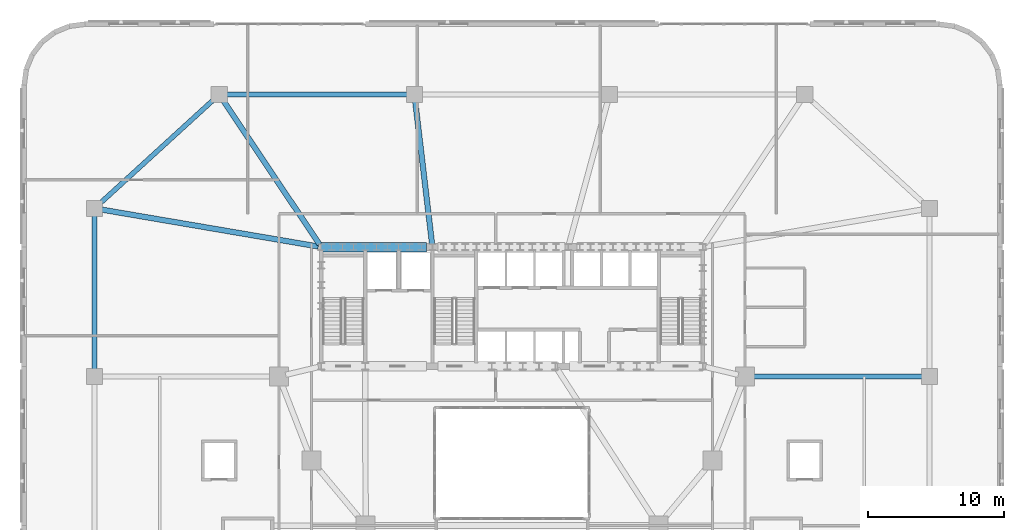
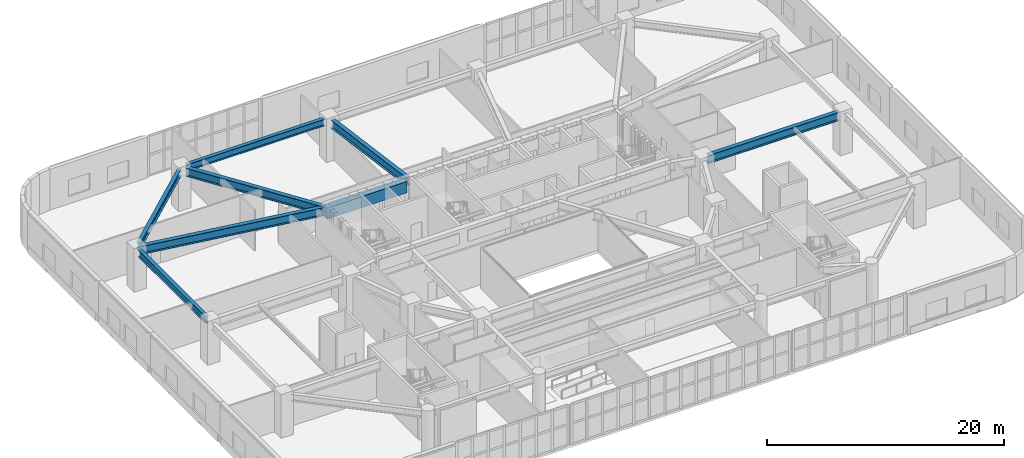
# One storey, part 8 of 25: 8 beams.
"""IFC4 building model written with IfcOpenShell, lengths in metres."""

import ifcopenshell
import ifcopenshell.guid

model = None  # the IFC model being written
_history = None  # IfcOwnerHistory: only IFC2X3 demands one
_inside = {}  # id of a spatial element -> (the spatial element, [elements in it])
_under = {}  # id of a project, library or spatial element -> (it, [spatial elements below it])
_declared = {}  # id of a project -> (the project, [libraries it declares])
_typed = {}  # id of a type object -> (the type object, [elements of that type])
_made_of = {}  # id of a material, layer set ... -> (it, [elements and type objects made of it])


def new_model(schema):
    """Start an empty IFC model of exactly this schema.

    Asked for "IFC4X3", IfcOpenShell would pick the latest addendum, in which some entities
    have other attributes; the version numbers below select the first issue.
    IFC2X3 requires an IfcOwnerHistory on every rooted entity: one is made here for all.
    """
    global model, _history
    if schema == "IFC4X3":
        model = ifcopenshell.file(schema_version=(4, 3, 0, 0))
    else:
        model = ifcopenshell.file(schema=schema)
    _inside.clear()
    _under.clear()
    _declared.clear()
    _typed.clear()
    _made_of.clear()
    _history = None
    if model.schema == "IFC2X3":
        org = make("IfcOrganization", Name="unknown")
        user = make(
            "IfcPersonAndOrganization",
            ThePerson=make("IfcPerson", FamilyName="unknown"),
            TheOrganization=org,
        )
        app = make(
            "IfcApplication",
            ApplicationDeveloper=org,
            Version="unknown",
            ApplicationFullName="unknown",
            ApplicationIdentifier="unknown",
        )
        _history = make(
            "IfcOwnerHistory",
            OwningUser=user,
            OwningApplication=app,
            ChangeAction="ADDED",
            CreationDate=0,
        )
    return model


def make(cls, **values):
    """One entity of the class cls with the attributes given. An attribute that is None is left unset."""
    return model.create_entity(
        cls, **{name: value for name, value in values.items() if value is not None}
    )


def rooted(cls, **values):
    """An entity with a GlobalId (a new one), such as an element, a storey or a relation."""
    return make(cls, GlobalId=ifcopenshell.guid.new(), OwnerHistory=_history, **values)


def si_unit(unit_type, name, prefix=None):
    """IfcSIUnit, for example si_unit("LENGTHUNIT", "METRE", prefix="MILLI")."""
    return make("IfcSIUnit", UnitType=unit_type, Prefix=prefix, Name=name)


def assignment(units):
    """IfcUnitAssignment: the units of a project."""
    return None if units is None else make("IfcUnitAssignment", Units=units)


def point(xyz):
    """IfcCartesianPoint."""
    return None if xyz is None else make("IfcCartesianPoint", Coordinates=xyz)


def direction(xyz):
    """IfcDirection."""
    return None if xyz is None else make("IfcDirection", DirectionRatios=xyz)


def frame(location, z_axis=None, x_axis=None):
    """IfcAxis2Placement3D, a coordinate frame: its origin and axes. An axis left out is left unset."""
    return make(
        "IfcAxis2Placement3D",
        Location=point(location),
        Axis=direction(z_axis),
        RefDirection=direction(x_axis),
    )


def frame_2d(location, x_axis=None):
    """IfcAxis2Placement2D, a coordinate frame in the plane: its origin and x axis."""
    return make(
        "IfcAxis2Placement2D", Location=point(location), RefDirection=direction(x_axis)
    )


def origin():
    """The frame at (0, 0, 0) with its axes left unset."""
    return frame((0.0, 0.0, 0.0))


def origin_2d():
    """The frame at (0, 0) in the plane with its x axis left unset."""
    return frame_2d((0.0, 0.0))


def place(relative_to, where):
    """IfcLocalPlacement: puts the frame where relative to a parent placement (None: the world)."""
    return make(
        "IfcLocalPlacement", PlacementRelTo=relative_to, RelativePlacement=where
    )


def context(
    kind, dimensions, precision=None, world=None, true_north=None, identifier=None
):
    """IfcGeometricRepresentationContext, for example the 3D "Model" context."""
    return make(
        "IfcGeometricRepresentationContext",
        ContextIdentifier=identifier,
        ContextType=kind,
        CoordinateSpaceDimension=dimensions,
        Precision=precision,
        WorldCoordinateSystem=world,
        TrueNorth=true_north,
    )


def subcontext(parent, identifier, kind, view, scale=None):
    """IfcGeometricRepresentationSubContext, for example "Body" below "Model"."""
    return make(
        "IfcGeometricRepresentationSubContext",
        ContextIdentifier=identifier,
        ContextType=kind,
        ParentContext=parent,
        TargetScale=scale,
        TargetView=view,
    )


def project(units=None, contexts=None):
    """IfcProject with its units and contexts."""
    return rooted(
        "IfcProject",
        Name="project",
        RepresentationContexts=contexts,
        UnitsInContext=assignment(units),
    )


def spatial(cls, under=None, at=None, **own):
    """A site, building, storey or space (cls), placed at a placement, below another one or the project."""
    s = rooted(cls, ObjectPlacement=at, **own)
    if under is not None:
        _under.setdefault(under.id(), (under, []))[1].append(s)
    return s


def profile(cls, at=None, kind="AREA", **sizes):
    """A parametric profile (cls). Its sizes go by their IFC names, for example OverallWidth=200.0."""
    return make(cls, ProfileType=kind, Position=at, **sizes)


def rectangle(**sizes):
    """IfcRectangleProfileDef."""
    return profile("IfcRectangleProfileDef", **sizes)


def i_section(**sizes):
    """IfcIShapeProfileDef."""
    return profile("IfcIShapeProfileDef", **sizes)


def extrude(swept, where, along, depth):
    """IfcExtrudedAreaSolid: the profile swept, set in the frame where, extruded along a direction by depth."""
    return make(
        "IfcExtrudedAreaSolid",
        SweptArea=swept,
        Position=where,
        ExtrudedDirection=direction(along),
        Depth=depth,
    )


def shape(context_of_items, identifier, shape_type, items):
    """IfcShapeRepresentation: the items that make up one representation, for example the "Body"."""
    return make(
        "IfcShapeRepresentation",
        ContextOfItems=context_of_items,
        RepresentationIdentifier=identifier,
        RepresentationType=shape_type,
        Items=items,
    )


def material(Name=None, Category=None):
    """IfcMaterial."""
    return make("IfcMaterial", Name=Name, Category=Category)


def material_profile(
    of_material, cross_section, Name=None, Category=None, Priority=None
):
    """IfcMaterialProfile: a cross section and its material."""
    return make(
        "IfcMaterialProfile",
        Name=Name,
        Material=of_material,
        Profile=cross_section,
        Priority=Priority,
        Category=Category,
    )


def profile_set(profiles, Name=None, composite=None):
    """IfcMaterialProfileSet."""
    return make(
        "IfcMaterialProfileSet",
        Name=Name,
        MaterialProfiles=profiles,
        CompositeProfile=composite,
    )


def made_of(thing, what):
    """Note that an element or type object is made of a material, layer set ...; save() writes the relation."""
    if what is not None:
        _made_of.setdefault(what.id(), (what, []))[1].append(thing)
    return thing


def type_object(cls, material=None, **own):
    """A type object (cls), such as IfcWallType, which elements share."""
    return made_of(rooted(cls, **own), material)


def element(
    cls,
    number,
    at=None,
    inside=None,
    cuts=None,
    type_object=None,
    material=None,
    context=None,
    identifier="Body",
    shape_type=None,
    held_by="IfcProductDefinitionShape",
    body=None,
    shapes=None,
    **own,
):
    """One element of the class cls, such as IfcWall. Its Tag is "e" and its number.

    at: its placement. inside: the storey or other place that contains it. cuts: it is an
    opening in that element (IfcRelVoidsElement). A single representation is given by context,
    identifier, shape_type and body (its items); several are given by shapes. held_by: the class
    of the entity that holds the representations. save() writes the other relations.
    """
    e = rooted(cls, Tag="e%d" % number, ObjectPlacement=at, **own)
    if body is not None:
        shapes = [shape(context, identifier, shape_type, body)]
    if shapes is not None:
        e.Representation = make(held_by, Representations=shapes)
    if inside is not None:
        _inside.setdefault(inside.id(), (inside, []))[1].append(e)
    if cuts is not None:
        rooted(
            "IfcRelVoidsElement", RelatingBuildingElement=cuts, RelatedOpeningElement=e
        )
    if type_object is not None:
        _typed.setdefault(type_object.id(), (type_object, []))[1].append(e)
    return made_of(e, material)


def aggregate(whole, parts):
    """IfcRelAggregates: a whole, such as a stair, and the parts it consists of."""
    return rooted("IfcRelAggregates", RelatingObject=whole, RelatedObjects=parts)


def save(model, path):
    """Write the relations noted so far, then the file.

    IfcRelAggregates (storeys below a building ...), IfcRelContainedInSpatialStructure (elements
    in a storey), IfcRelDefinesByType, IfcRelAssociatesMaterial and IfcRelDeclares: one each for
    every whole, place, type object, material and project.
    """
    for whole, parts in _under.values():
        aggregate(whole, parts)
    for where, things in _inside.values():
        rooted(
            "IfcRelContainedInSpatialStructure",
            RelatedElements=things,
            RelatingStructure=where,
        )
    for kind, things in _typed.values():
        rooted("IfcRelDefinesByType", RelatedObjects=things, RelatingType=kind)
    for what, things in _made_of.values():
        rooted("IfcRelAssociatesMaterial", RelatedObjects=things, RelatingMaterial=what)
    for by, libraries in _declared.values():
        rooted("IfcRelDeclares", RelatingContext=by, RelatedDefinitions=libraries)
    model.write(path)


model = new_model("IFC4")

# Units and contexts
model_context = context("Model", 3, precision=1e-05, world=origin(), true_north=direction((0.0, 1.0)))
body_context = subcontext(model_context, "Body", "Model", "MODEL_VIEW")
ifc_project = project(units=[si_unit("LENGTHUNIT", "METRE"), si_unit("AREAUNIT", "SQUARE_METRE"), si_unit("VOLUMEUNIT", "CUBIC_METRE"), si_unit("PLANEANGLEUNIT", "RADIAN"), si_unit("MASSUNIT", "GRAM", prefix="KILO")], contexts=[model_context])

# Site, building, storey
site_placement = place(None, origin())
site = spatial("IfcSite", under=ifc_project, at=site_placement, CompositionType="ELEMENT")
building_placement = place(site_placement, origin())
building = spatial("IfcBuilding", under=site, at=building_placement, Name="Haldorwick Loom Tower", CompositionType="ELEMENT")
storey_placement = place(building_placement, frame((0.0, 0.0, 6.0)))
storey = spatial("IfcBuildingStorey", under=building, at=storey_placement, Name="L01", CompositionType="ELEMENT", Elevation=6.0)

# Beams
ifc_material_1 = material(Name="Concrete C60 (60 MPa)", Category="concrete")
ifc_material_profile_1 = material_profile(ifc_material_1, rectangle(XDim=0.699951171875, YDim=1.14990234375, at=origin_2d()), Name="RC700X1150", Category="concrete")
ifc_profile_set_1 = profile_set([ifc_material_profile_1], Name="Concrete C60 (60 MPa)")
beam_type_1 = type_object("IfcBeamType", Name="STR-BM-CB1150", PredefinedType="LINTEL", material=ifc_profile_set_1)
beam_1_placement = place(storey_placement, frame((21.89990234375, 35.550048828125, 3.625), z_axis=(1.0, 0.0, 0.0), x_axis=(0.0, 1.0, 0.0)))
element("IfcBeam", 1, at=beam_1_placement, inside=storey, type_object=beam_type_1, Name="L01 Core Coupling Beam CB-N1", PredefinedType="LINTEL", context=body_context, shape_type="SweptSolid", body=[
    extrude(rectangle(XDim=0.699951171875, YDim=1.14990234375, at=origin_2d()), origin(), (0.0, 0.0, 1.0), 7.800048828125),
])
ifc_material_2 = material(Name="Steel CSA G40.21 350W", Category="steel")
ifc_material_profile_2 = material_profile(ifc_material_2, i_section(OverallWidth=0.35498046875, OverallDepth=0.695068359375, WebThickness=0.015380859375, FlangeThickness=0.02490234375, at=origin_2d()), Name="W690X217", Category="steel")
ifc_profile_set_2 = profile_set([ifc_material_profile_2], Name="Steel CSA G40.21 350W")
beam_type_2 = type_object("IfcBeamType", Name="STR-BM-SP690", PredefinedType="SPANDREL", material=ifc_profile_set_2)
beam_2_placement = place(storey_placement, frame((28.320068359375, 46.800048828125, 3.8525390625), z_axis=(-1.0, 0.0, 0.0), x_axis=(0.0, -1.0, 0.0)))
element("IfcBeam", 2, at=beam_2_placement, inside=storey, type_object=beam_type_2, Name="L01 Podium Spandrel PSP-N3", PredefinedType="SPANDREL", context=body_context, shape_type="SweptSolid", body=[
    extrude(i_section(OverallWidth=0.35498046875, OverallDepth=0.695068359375, WebThickness=0.015380859375, FlangeThickness=0.02490234375, at=origin_2d()), origin(), (0.0, 0.0, 1.0), 13.440185546875),
])
beam_3_placement = place(storey_placement, frame((14.04541015625, 46.476318359375, 3.8525390625), z_axis=(-0.738482735745, -0.674272384876, 0.0), x_axis=(0.674272384876, -0.738482735745, 0.0)))
element("IfcBeam", 3, at=beam_3_placement, inside=storey, type_object=beam_type_2, Name="L01 Podium Spandrel PSP-N4", PredefinedType="SPANDREL", context=body_context, shape_type="SweptSolid", body=[
    extrude(i_section(OverallWidth=0.35498046875, OverallDepth=0.695068359375, WebThickness=0.015380859375, FlangeThickness=0.02490234375, at=origin_2d()), origin(), (0.0, 0.0, 1.0), 11.497802734375),
])
beam_4_placement = place(storey_placement, frame((5.199951171875, 37.919921875, 3.8525390625), z_axis=(0.0, -1.0, 0.0), x_axis=(1.0, 0.0, 0.0)))
element("IfcBeam", 4, at=beam_4_placement, inside=storey, type_object=beam_type_2, Name="L01 Podium Spandrel PSP-W1", PredefinedType="SPANDREL", context=body_context, shape_type="SweptSolid", body=[
    extrude(i_section(OverallWidth=0.35498046875, OverallDepth=0.695068359375, WebThickness=0.015380859375, FlangeThickness=0.02490234375, at=origin_2d()), origin(), (0.0, 0.0, 1.0), 11.43994140625),
])
ifc_material_profile_3 = material_profile(ifc_material_2, i_section(OverallWidth=0.39990234375, OverallDepth=0.85498046875, WebThickness=0.018310546875, FlangeThickness=0.029296875, at=origin_2d()), Name="W840X299", Category="steel")
ifc_profile_set_3 = profile_set([ifc_material_profile_3], Name="Steel CSA G40.21 350W")
beam_type_3 = type_object("IfcBeamType", Name="STR-BM-W840", PredefinedType="BEAM", material=ifc_profile_set_3)
beam_5_placement = place(storey_placement, frame((5.6435546875, 38.324462890625, 3.7724609375), z_axis=(0.985799279017, -0.167927905632, 0.0), x_axis=(0.167927905632, 0.985799279017, 0.0)))
element("IfcBeam", 5, at=beam_5_placement, inside=storey, type_object=beam_type_3, Name="L01 Podium Primary Girder PG-10", PredefinedType="BEAM", context=body_context, shape_type="SweptSolid", body=[
    extrude(i_section(OverallWidth=0.39990234375, OverallDepth=0.85498046875, WebThickness=0.018310546875, FlangeThickness=0.029296875, at=origin_2d()), origin(), (0.0, 0.0, 1.0), 16.296142578125),
])
beam_6_placement = place(storey_placement, frame((14.650390625, 46.426025390625, 3.7724609375), z_axis=(0.556223597649, -0.831032676504, 0.0), x_axis=(0.831032676504, 0.556223597649, 0.0)))
element("IfcBeam", 6, at=beam_6_placement, inside=storey, type_object=beam_type_3, Name="L01 Podium Primary Girder PG-12", PredefinedType="BEAM", context=body_context, shape_type="SweptSolid", body=[
    extrude(i_section(OverallWidth=0.39990234375, OverallDepth=0.85498046875, WebThickness=0.018310546875, FlangeThickness=0.029296875, at=origin_2d()), origin(), (0.0, 0.0, 1.0), 12.8623046875),
])
beam_7_placement = place(storey_placement, frame((28.852783203125, 46.35302734375, 3.7724609375), z_axis=(0.11740367245, -0.993084275223, 0.0), x_axis=(0.993084275223, 0.11740367245, 0.0)))
element("IfcBeam", 7, at=beam_7_placement, inside=storey, type_object=beam_type_3, Name="L01 Podium Primary Girder PG-13", PredefinedType="BEAM", context=body_context, shape_type="SweptSolid", body=[
    extrude(i_section(OverallWidth=0.39990234375, OverallDepth=0.85498046875, WebThickness=0.018310546875, FlangeThickness=0.029296875, at=origin_2d()), origin(), (0.0, 0.0, 1.0), 10.6533203125),
])
beam_8_placement = place(storey_placement, frame((53.64990234375, 26.0, 3.7724609375), z_axis=(1.0, 0.0, 0.0), x_axis=(0.0, 1.0, 0.0)))
element("IfcBeam", 8, at=beam_8_placement, inside=storey, type_object=beam_type_3, Name="L01 Podium Primary Girder PG-09", PredefinedType="BEAM", context=body_context, shape_type="SweptSolid", body=[
    extrude(i_section(OverallWidth=0.39990234375, OverallDepth=0.85498046875, WebThickness=0.018310546875, FlangeThickness=0.029296875, at=origin_2d()), origin(), (0.0, 0.0, 1.0), 12.7001953125),
])

save(model, "model.ifc")
